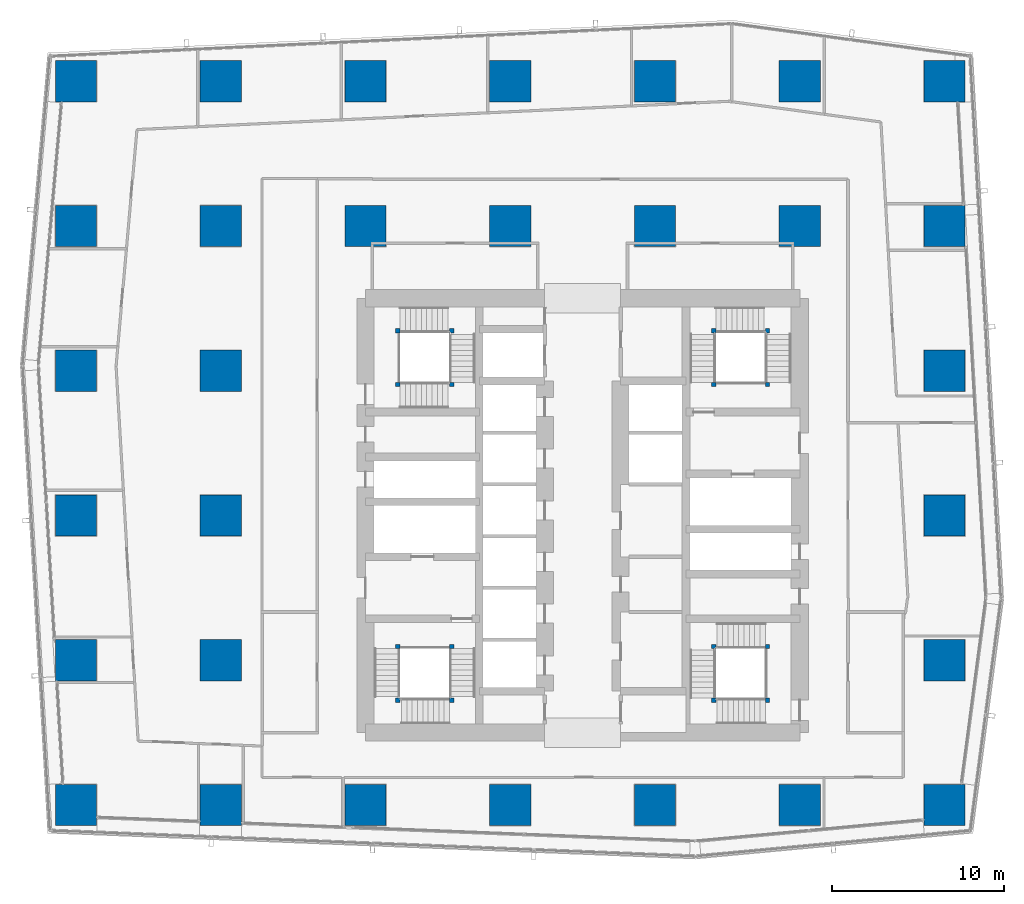
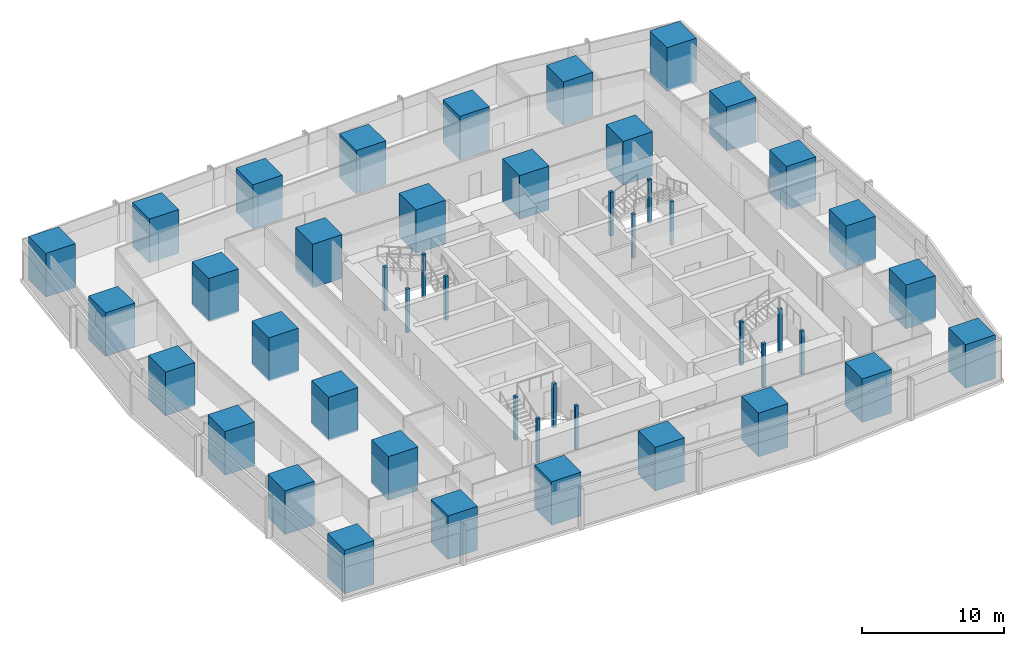
# One storey, part 1 of 37: 46 columns.
"""IFC4 building model written with IfcOpenShell, lengths in metres."""

from ifc_helpers import new_model, si_unit, direction, frame, origin, origin_2d, place, context, subcontext, project, spatial, rectangle, extrude, material, material_profile, profile_set, type_object, element, save


model = new_model("IFC4")

# Units and contexts
model_context = context("Model", 3, precision=1e-05, world=origin(), true_north=direction((0.0, 1.0)))
body_context = subcontext(model_context, "Body", "Model", "MODEL_VIEW")
ifc_project = project(units=[si_unit("LENGTHUNIT", "METRE"), si_unit("AREAUNIT", "SQUARE_METRE"), si_unit("VOLUMEUNIT", "CUBIC_METRE"), si_unit("PLANEANGLEUNIT", "RADIAN"), si_unit("MASSUNIT", "GRAM", prefix="KILO")], contexts=[model_context])

# Site, building, storey
site_placement = place(None, origin())
site = spatial("IfcSite", under=ifc_project, at=site_placement, CompositionType="ELEMENT")
building_placement = place(site_placement, origin())
building = spatial("IfcBuilding", under=site, at=building_placement, Name="Rekha Terrace Tower", CompositionType="ELEMENT")
storey_placement = place(building_placement, frame((0.0, 0.0, 228.949951171875)))
storey = spatial("IfcBuildingStorey", under=building, at=storey_placement, Name="L58", CompositionType="ELEMENT", Elevation=228.949951171875)

# Columns
ifc_material_1 = material(Name="Concrete M70", Category="concrete")
ifc_material_profile_1 = material_profile(ifc_material_1, rectangle(XDim=2.39990234375, YDim=2.39990234375, at=origin_2d()), Name="RC 2400x2400")
ifc_profile_set_1 = profile_set([ifc_material_profile_1], Name="Concrete M70")
column_type_1 = type_object("IfcColumnType", Name="C4B 2400x2400 column", PredefinedType="COLUMN", material=ifc_profile_set_1)
for number, where, z_axis, x_axis, name in (
    (1, (8.39990234375, 16.800048828125, 0.0), (0.0, 0.0, 1.0), (1.0, 0.0, 0.0), "Column C4B 2/C L58"),
    (2, (8.39990234375, 25.199951171875, 0.0), (0.0, 0.0, 1.0), (1.0, 0.0, 0.0), "Column C4B 2/D L58"),
    (3, (8.39990234375, 33.60009765625, 0.0), (0.0, 0.0, 1.0), (1.0, 0.0, 0.0), "Column C4B 2/E L58"),
    (4, (8.39990234375, 42.0, 0.0), (0.0, 0.0, 1.0), (1.0, 0.0, 0.0), "Column C4B 2/F L58"),
    (5, (8.39990234375, 50.39990234375, 0.0), (0.0, 0.0, 1.0), (1.0, 0.0, 0.0), "Column C4B 2/G L58"),
    (6, (8.39990234375, 58.800048828125, 0.0), (0.0, 0.0, 1.0), (1.0, 0.0, 0.0), "Column C4B 2/H L58"),
    (7, (16.800048828125, 16.800048828125, 0.0), (0.0, 0.0, 1.0), (1.0, 0.0, 0.0), "Column C4B 3/C L58"),
    (8, (16.800048828125, 25.199951171875, 0.0), (0.0, 0.0, 1.0), (1.0, 0.0, 0.0), "Column C4B 3/D L58"),
    (9, (16.800048828125, 33.60009765625, 0.0), (0.0, 0.0, 1.0), (1.0, 0.0, 0.0), "Column C4B 3/E L58"),
    (10, (16.800048828125, 42.0, 0.0), (0.0, 0.0, 1.0), (1.0, 0.0, 0.0), "Column C4B 3/F L58"),
    (11, (16.800048828125, 50.39990234375, 0.0), (0.0, 0.0, 1.0), (1.0, 0.0, 0.0), "Column C4B 3/G L58"),
    (12, (16.800048828125, 58.800048828125, 0.0), (0.0, 0.0, 1.0), (1.0, 0.0, 0.0), "Column C4B 3/H L58"),
    (13, (25.199951171875, 16.800048828125, 0.0), (0.0, 0.0, 1.0), (1.0, 0.0, 0.0), "Column C4B 4/C L58"),
    (14, (25.199951171875, 50.39990234375, 0.0), (0.0, 0.0, 1.0), (1.0, 0.0, 0.0), "Column C4B 4/G L58"),
    (15, (25.199951171875, 58.800048828125, 0.0), (0.0, 0.0, 1.0), (1.0, 0.0, 0.0), "Column C4B 4/H L58"),
    (16, (33.60009765625, 16.800048828125, 0.0), (0.0, 0.0, 1.0), (1.0, 0.0, 0.0), "Column C4B 5/C L58"),
    (17, (33.60009765625, 50.39990234375, 0.0), (0.0, 0.0, 1.0), (1.0, 0.0, 0.0), "Column C4B 5/G L58"),
    (18, (33.60009765625, 58.800048828125, 0.0), (0.0, 0.0, 1.0), (1.0, 0.0, 0.0), "Column C4B 5/H L58"),
    (19, (42.0, 16.800048828125, 0.0), (0.0, 0.0, 1.0), (1.0, 0.0, 0.0), "Column C4B 6/C L58"),
    (20, (42.0, 50.39990234375, 0.0), (0.0, 0.0, 1.0), (1.0, 0.0, 0.0), "Column C4B 6/G L58"),
    (21, (42.0, 58.800048828125, 0.0), (0.0, 0.0, 1.0), (1.0, 0.0, 0.0), "Column C4B 6/H L58"),
    (22, (50.39990234375, 16.800048828125, 0.0), (0.0, 0.0, 1.0), (1.0, 0.0, 0.0), "Column C4B 7/C L58"),
    (23, (50.39990234375, 50.39990234375, 0.0), (0.0, 0.0, 1.0), (1.0, 0.0, 0.0), "Column C4B 7/G L58"),
    (24, (50.39990234375, 58.800048828125, 0.0), (0.0, 0.0, 1.0), (1.0, 0.0, 0.0), "Column C4B 7/H L58"),
    (25, (58.800048828125, 16.800048828125, 0.0), (0.0, 0.0, 1.0), (1.0, 0.0, 0.0), "Column C4B 8/C L58"),
    (26, (58.800048828125, 25.199951171875, 0.0), (0.0, 0.0, 1.0), (1.0, 0.0, 0.0), "Column C4B 8/D L58"),
    (27, (58.800048828125, 33.60009765625, 0.0), (0.0, 0.0, 1.0), (1.0, 0.0, 0.0), "Column C4B 8/E L58"),
    (28, (58.800048828125, 42.0, 0.0), (0.0, 0.0, 1.0), (1.0, 0.0, 0.0), "Column C4B 8/F L58"),
    (29, (58.800048828125, 50.39990234375, 0.0), (0.0, 0.0, 1.0), (1.0, 0.0, 0.0), "Column C4B 8/G L58"),
    (30, (58.800048828125, 58.800048828125, 0.0), (0.0, 0.0, 1.0), (1.0, 0.0, 0.0), "Column C4B 8/H L58"),
):
    element("IfcColumn", number, at=place(storey_placement, frame(where, z_axis=z_axis, x_axis=x_axis)), inside=storey, type_object=column_type_1, Name=name, PredefinedType="COLUMN", context=body_context, shape_type="SweptSolid", body=[
        extrude(rectangle(XDim=2.39990234375, YDim=2.39990234375, at=origin_2d()), origin(), (0.0, 0.0, 1.0), 3.75),
    ])
ifc_material_2 = material(Name="Concrete M60", Category="concrete")
ifc_material_profile_2 = material_profile(ifc_material_2, rectangle(XDim=0.25, YDim=0.25, at=origin_2d()), Name="RC 250x250")
ifc_profile_set_2 = profile_set([ifc_material_profile_2], Name="Concrete M60")
column_type_2 = type_object("IfcColumnType", Name="NP1 250x250 stair newel post", PredefinedType="COLUMN", material=ifc_profile_set_2)
for number, where, z_axis, x_axis, name in (
    (31, (30.199951171875, 26.0, 0.0), (0.0, 0.0, 1.0), (1.0, 0.0, 0.0), "Stair newel post NP1"),
    (32, (30.199951171875, 22.875, 0.0), (0.0, 0.0, 1.0), (1.0, 0.0, 0.0), "Stair newel post NP1"),
    (33, (27.074951171875, 22.875, 0.0), (0.0, 0.0, 1.0), (1.0, 0.0, 0.0), "Stair newel post NP1"),
    (34, (27.074951171875, 26.0, 0.0), (0.0, 0.0, 1.0), (1.0, 0.0, 0.0), "Stair newel post NP1"),
    (35, (45.39990234375, 41.199951171875, 0.0), (0.0, 0.0, 1.0), (1.0, 0.0, 0.0), "Stair newel post NP1"),
    (36, (45.39990234375, 44.324951171875, 0.0), (0.0, 0.0, 1.0), (1.0, 0.0, 0.0), "Stair newel post NP1"),
    (37, (48.52490234375, 44.324951171875, 0.0), (0.0, 0.0, 1.0), (1.0, 0.0, 0.0), "Stair newel post NP1"),
    (38, (48.52490234375, 41.199951171875, 0.0), (0.0, 0.0, 1.0), (1.0, 0.0, 0.0), "Stair newel post NP1"),
    (39, (48.52490234375, 22.875, 0.0), (0.0, 0.0, 1.0), (1.0, 0.0, 0.0), "Stair newel post NP1"),
    (40, (45.39990234375, 22.875, 0.0), (0.0, 0.0, 1.0), (1.0, 0.0, 0.0), "Stair newel post NP1"),
    (41, (45.39990234375, 26.0, 0.0), (0.0, 0.0, 1.0), (1.0, 0.0, 0.0), "Stair newel post NP1"),
    (42, (48.52490234375, 26.0, 0.0), (0.0, 0.0, 1.0), (1.0, 0.0, 0.0), "Stair newel post NP1"),
    (43, (27.074951171875, 41.199951171875, 0.0), (0.0, 0.0, 1.0), (1.0, 0.0, 0.0), "Stair newel post NP1"),
    (44, (30.199951171875, 41.199951171875, 0.0), (0.0, 0.0, 1.0), (1.0, 0.0, 0.0), "Stair newel post NP1"),
    (45, (30.199951171875, 44.324951171875, 0.0), (0.0, 0.0, 1.0), (1.0, 0.0, 0.0), "Stair newel post NP1"),
    (46, (27.074951171875, 44.324951171875, 0.0), (0.0, 0.0, 1.0), (1.0, 0.0, 0.0), "Stair newel post NP1"),
):
    element("IfcColumn", number, at=place(storey_placement, frame(where, z_axis=z_axis, x_axis=x_axis)), inside=storey, type_object=column_type_2, Name=name, PredefinedType="COLUMN", context=body_context, shape_type="SweptSolid", body=[
        extrude(rectangle(XDim=0.25, YDim=0.25, at=origin_2d()), origin(), (0.0, 0.0, 1.0), 3.75),
    ])

save(model, "model.ifc")
